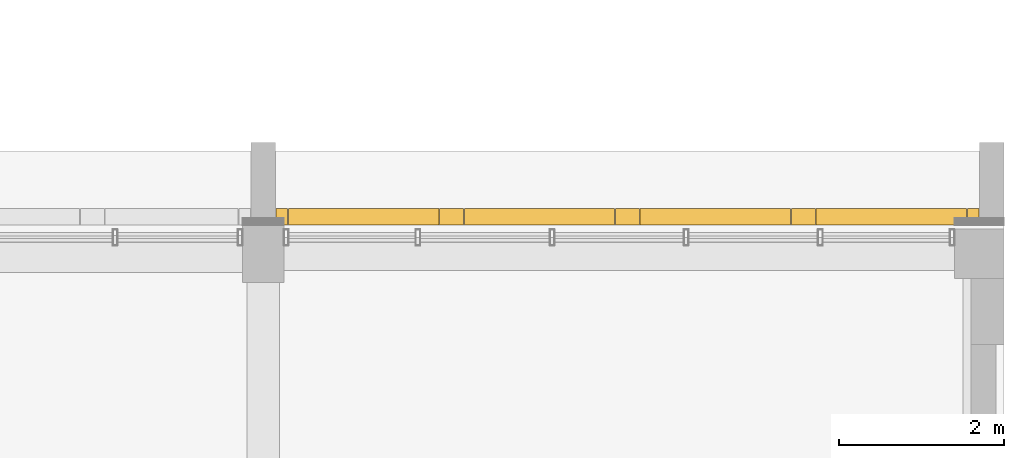
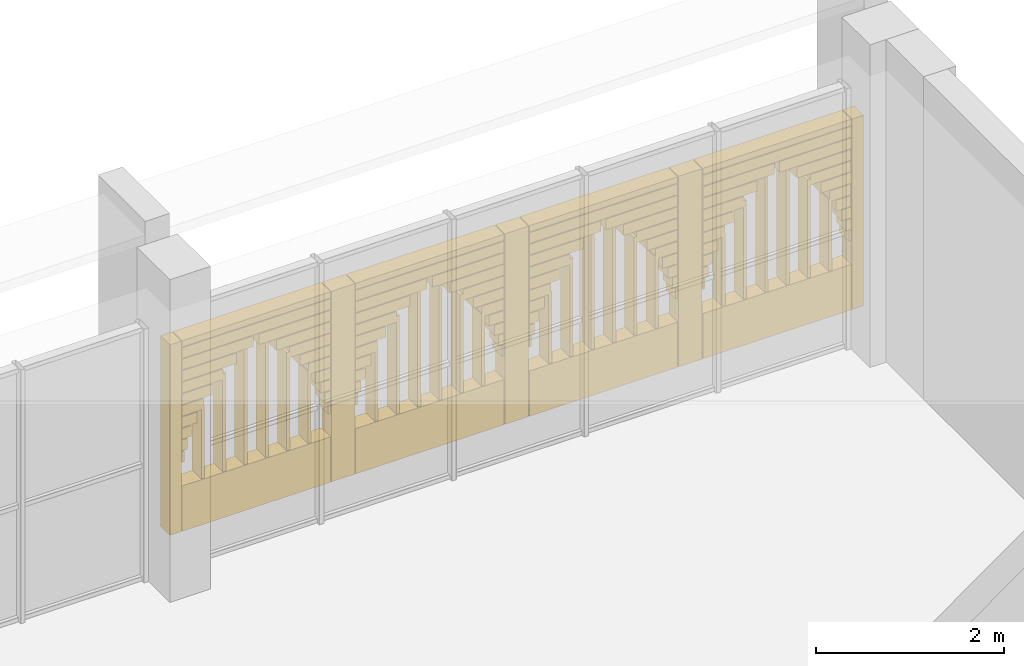
# One storey, part 92 of 92: 1 covering.
"""IFC4 building model written with IfcOpenShell, lengths in metres."""

from ifc_helpers import new_model, si_unit, direction, frame, origin, origin_2d, place, context, subcontext, project, spatial, rectangle, extrude, material, layer, layer_set, type_object, element, save


model = new_model("IFC4")

# Units and contexts
model_context = context("Model", 3, precision=1e-05, world=origin(), true_north=direction((0.0, 1.0)))
body_context = subcontext(model_context, "Body", "Model", "MODEL_VIEW")
ifc_project = project(units=[si_unit("LENGTHUNIT", "METRE"), si_unit("AREAUNIT", "SQUARE_METRE"), si_unit("VOLUMEUNIT", "CUBIC_METRE"), si_unit("PLANEANGLEUNIT", "RADIAN"), si_unit("MASSUNIT", "GRAM", prefix="KILO")], contexts=[model_context])

# Site, building, storey
site_placement = place(None, origin())
site = spatial("IfcSite", under=ifc_project, at=site_placement, CompositionType="ELEMENT")
building_placement = place(site_placement, origin())
building = spatial("IfcBuilding", under=site, at=building_placement, Name="Sun Court Science Centre", CompositionType="ELEMENT")
storey_placement = place(building_placement, frame((0.0, 0.0, 11.25)))
storey = spatial("IfcBuildingStorey", under=building, at=storey_placement, Name="L02", CompositionType="ELEMENT", Elevation=11.25)

# Covering
ifc_material = material(Name="Red sandstone", Category="masonry")
ifc_layer = layer(ifc_material, 0.199951171875)
ifc_layer_set = layer_set([ifc_layer], Name="Red sandstone")
covering_type = type_object("IfcCoveringType", Name="Arched jali screen 200", PredefinedType="CLADDING", material=ifc_layer_set)
covering_placement = place(storey_placement, frame((0.0, 0.0, -11.25)))
element("IfcCovering", 1, at=covering_placement, inside=storey, type_object=covering_type, Name="Arched jali screen north L02 04", PredefinedType="CLADDING", context=body_context, shape_type="SweptSolid", body=[
    extrude(rectangle(XDim=0.139892578125, YDim=0.199951171875, at=origin_2d()), frame((95.22509765625, 81.10009765625, 11.55517578125), z_axis=(0.0, 0.0, 1.0), x_axis=(1.0, 0.0, 0.0)), (0.0, 0.0, 1.0), 2.481201171875),
    extrude(rectangle(XDim=0.2900390625, YDim=0.199951171875, at=origin_2d()), frame((97.28759765625, 81.10009765625, 11.55517578125), z_axis=(0.0, 0.0, 1.0), x_axis=(1.0, 0.0, 0.0)), (0.0, 0.0, 1.0), 2.481201171875),
    extrude(rectangle(XDim=0.2900390625, YDim=0.199951171875, at=origin_2d()), frame((99.425048828125, 81.10009765625, 11.55517578125), z_axis=(0.0, 0.0, 1.0), x_axis=(1.0, 0.0, 0.0)), (0.0, 0.0, 1.0), 2.481201171875),
    extrude(rectangle(XDim=0.2900390625, YDim=0.199951171875, at=origin_2d()), frame((101.5625, 81.10009765625, 11.55517578125), z_axis=(0.0, 0.0, 1.0), x_axis=(1.0, 0.0, 0.0)), (0.0, 0.0, 1.0), 2.481201171875),
    extrude(rectangle(XDim=0.139892578125, YDim=0.199951171875, at=origin_2d()), frame((103.625, 81.10009765625, 11.55517578125), z_axis=(0.0, 0.0, 1.0), x_axis=(1.0, 0.0, 0.0)), (0.0, 0.0, 1.0), 2.481201171875),
    extrude(rectangle(XDim=1.827392578125, YDim=0.199951171875, at=origin_2d()), frame((96.21875, 81.10009765625, 11.55517578125), z_axis=(0.0, 0.0, 1.0), x_axis=(1.0, 0.0, 0.0)), (0.0, 0.0, 1.0), 0.590087890625),
    extrude(rectangle(XDim=0.028564453125, YDim=0.199951171875, at=origin_2d()), frame((95.3193359375, 81.10009765625, 12.455078125), z_axis=(0.0, 0.0, 1.0), x_axis=(1.0, 0.0, 0.0)), (0.0, 0.0, 1.0), 0.139892578125),
    extrude(rectangle(XDim=0.028564453125, YDim=0.199951171875, at=origin_2d()), frame((97.1181640625, 81.10009765625, 12.455078125), z_axis=(0.0, 0.0, 1.0), x_axis=(1.0, 0.0, 0.0)), (0.0, 0.0, 1.0), 0.139892578125),
    extrude(rectangle(XDim=0.066650390625, YDim=0.199951171875, at=origin_2d()), frame((95.33837890625, 81.10009765625, 12.60498046875), z_axis=(0.0, 0.0, 1.0), x_axis=(1.0, 0.0, 0.0)), (0.0, 0.0, 1.0), 0.139892578125),
    extrude(rectangle(XDim=0.066650390625, YDim=0.199951171875, at=origin_2d()), frame((97.09912109375, 81.10009765625, 12.60498046875), z_axis=(0.0, 0.0, 1.0), x_axis=(1.0, 0.0, 0.0)), (0.0, 0.0, 1.0), 0.139892578125),
    extrude(rectangle(XDim=0.118408203125, YDim=0.199951171875, at=origin_2d()), frame((95.3642578125, 81.10009765625, 12.7548828125), z_axis=(0.0, 0.0, 1.0), x_axis=(1.0, 0.0, 0.0)), (0.0, 0.0, 1.0), 0.139892578125),
    extrude(rectangle(XDim=0.118408203125, YDim=0.199951171875, at=origin_2d()), frame((97.0732421875, 81.10009765625, 12.7548828125), z_axis=(0.0, 0.0, 1.0), x_axis=(1.0, 0.0, 0.0)), (0.0, 0.0, 1.0), 0.139892578125),
    extrude(rectangle(XDim=0.185546875, YDim=0.199951171875, at=origin_2d()), frame((95.397705078125, 81.10009765625, 12.9052734375), z_axis=(0.0, 0.0, 1.0), x_axis=(1.0, 0.0, 0.0)), (0.0, 0.0, 1.0), 0.139892578125),
    extrude(rectangle(XDim=0.185546875, YDim=0.199951171875, at=origin_2d()), frame((97.039794921875, 81.10009765625, 12.9052734375), z_axis=(0.0, 0.0, 1.0), x_axis=(1.0, 0.0, 0.0)), (0.0, 0.0, 1.0), 0.139892578125),
    extrude(rectangle(XDim=0.27001953125, YDim=0.199951171875, at=origin_2d()), frame((95.43994140625, 81.10009765625, 13.05517578125), z_axis=(0.0, 0.0, 1.0), x_axis=(1.0, 0.0, 0.0)), (0.0, 0.0, 1.0), 0.139892578125),
    extrude(rectangle(XDim=0.27001953125, YDim=0.199951171875, at=origin_2d()), frame((96.99755859375, 81.10009765625, 13.05517578125), z_axis=(0.0, 0.0, 1.0), x_axis=(1.0, 0.0, 0.0)), (0.0, 0.0, 1.0), 0.139892578125),
    extrude(rectangle(XDim=0.374755859375, YDim=0.199951171875, at=origin_2d()), frame((95.492431640625, 81.10009765625, 13.205078125), z_axis=(0.0, 0.0, 1.0), x_axis=(1.0, 0.0, 0.0)), (0.0, 0.0, 1.0), 0.139892578125),
    extrude(rectangle(XDim=0.374755859375, YDim=0.199951171875, at=origin_2d()), frame((96.945068359375, 81.10009765625, 13.205078125), z_axis=(0.0, 0.0, 1.0), x_axis=(1.0, 0.0, 0.0)), (0.0, 0.0, 1.0), 0.139892578125),
    extrude(rectangle(XDim=0.50439453125, YDim=0.199951171875, at=origin_2d()), frame((95.55712890625, 81.10009765625, 13.35498046875), z_axis=(0.0, 0.0, 1.0), x_axis=(1.0, 0.0, 0.0)), (0.0, 0.0, 1.0), 0.139892578125),
    extrude(rectangle(XDim=0.50439453125, YDim=0.199951171875, at=origin_2d()), frame((96.88037109375, 81.10009765625, 13.35498046875), z_axis=(0.0, 0.0, 1.0), x_axis=(1.0, 0.0, 0.0)), (0.0, 0.0, 1.0), 0.139892578125),
    extrude(rectangle(XDim=0.66748046875, YDim=0.199951171875, at=origin_2d()), frame((95.638671875, 81.10009765625, 13.5048828125), z_axis=(0.0, 0.0, 1.0), x_axis=(1.0, 0.0, 0.0)), (0.0, 0.0, 1.0), 0.139892578125),
    extrude(rectangle(XDim=0.66748046875, YDim=0.199951171875, at=origin_2d()), frame((96.798828125, 81.10009765625, 13.5048828125), z_axis=(0.0, 0.0, 1.0), x_axis=(1.0, 0.0, 0.0)), (0.0, 0.0, 1.0), 0.139892578125),
    extrude(rectangle(XDim=0.881103515625, YDim=0.199951171875, at=origin_2d()), frame((95.74560546875, 81.10009765625, 13.6552734375), z_axis=(0.0, 0.0, 1.0), x_axis=(1.0, 0.0, 0.0)), (0.0, 0.0, 1.0), 0.139892578125),
    extrude(rectangle(XDim=0.881103515625, YDim=0.199951171875, at=origin_2d()), frame((96.69189453125, 81.10009765625, 13.6552734375), z_axis=(0.0, 0.0, 1.0), x_axis=(1.0, 0.0, 0.0)), (0.0, 0.0, 1.0), 0.139892578125),
    extrude(rectangle(XDim=1.827392578125, YDim=0.199951171875, at=origin_2d()), frame((96.21875, 81.10009765625, 13.80517578125), z_axis=(0.0, 0.0, 1.0), x_axis=(1.0, 0.0, 0.0)), (0.0, 0.0, 1.0), 0.139892578125),
    extrude(rectangle(XDim=1.827392578125, YDim=0.199951171875, at=origin_2d()), frame((96.21875, 81.10009765625, 13.955078125), z_axis=(0.0, 0.0, 1.0), x_axis=(1.0, 0.0, 0.0)), (0.0, 0.0, 1.0), 0.081298828125),
    extrude(rectangle(XDim=0.0400390625, YDim=0.199951171875, at=origin_2d()), frame((95.5625, 81.10009765625, 12.155029296875), z_axis=(0.0, 0.0, 1.0), x_axis=(1.0, 0.0, 0.0)), (0.0, 0.0, 1.0), 0.9365234375),
    extrude(rectangle(XDim=0.0400390625, YDim=0.199951171875, at=origin_2d()), frame((95.824951171875, 81.10009765625, 12.155029296875), z_axis=(0.0, 0.0, 1.0), x_axis=(1.0, 0.0, 0.0)), (0.0, 0.0, 1.0), 1.27587890625),
    extrude(rectangle(XDim=0.0400390625, YDim=0.199951171875, at=origin_2d()), frame((96.08740234375, 81.10009765625, 12.155029296875), z_axis=(0.0, 0.0, 1.0), x_axis=(1.0, 0.0, 0.0)), (0.0, 0.0, 1.0), 1.498046875),
    extrude(rectangle(XDim=0.0400390625, YDim=0.199951171875, at=origin_2d()), frame((96.35009765625, 81.10009765625, 12.155029296875), z_axis=(0.0, 0.0, 1.0), x_axis=(1.0, 0.0, 0.0)), (0.0, 0.0, 1.0), 1.498046875),
    extrude(rectangle(XDim=0.0400390625, YDim=0.199951171875, at=origin_2d()), frame((96.612548828125, 81.10009765625, 12.155029296875), z_axis=(0.0, 0.0, 1.0), x_axis=(1.0, 0.0, 0.0)), (0.0, 0.0, 1.0), 1.27587890625),
    extrude(rectangle(XDim=0.0400390625, YDim=0.199951171875, at=origin_2d()), frame((96.875, 81.10009765625, 12.155029296875), z_axis=(0.0, 0.0, 1.0), x_axis=(1.0, 0.0, 0.0)), (0.0, 0.0, 1.0), 0.9365234375),
    extrude(rectangle(XDim=1.827392578125, YDim=0.199951171875, at=origin_2d()), frame((98.356201171875, 81.10009765625, 11.55517578125), z_axis=(0.0, 0.0, 1.0), x_axis=(1.0, 0.0, 0.0)), (0.0, 0.0, 1.0), 0.590087890625),
    extrude(rectangle(XDim=0.028564453125, YDim=0.199951171875, at=origin_2d()), frame((97.456787109375, 81.10009765625, 12.455078125), z_axis=(0.0, 0.0, 1.0), x_axis=(1.0, 0.0, 0.0)), (0.0, 0.0, 1.0), 0.139892578125),
    extrude(rectangle(XDim=0.028564453125, YDim=0.199951171875, at=origin_2d()), frame((99.255615234375, 81.10009765625, 12.455078125), z_axis=(0.0, 0.0, 1.0), x_axis=(1.0, 0.0, 0.0)), (0.0, 0.0, 1.0), 0.139892578125),
    extrude(rectangle(XDim=0.066650390625, YDim=0.199951171875, at=origin_2d()), frame((97.475830078125, 81.10009765625, 12.60498046875), z_axis=(0.0, 0.0, 1.0), x_axis=(1.0, 0.0, 0.0)), (0.0, 0.0, 1.0), 0.139892578125),
    extrude(rectangle(XDim=0.066650390625, YDim=0.199951171875, at=origin_2d()), frame((99.23681640625, 81.10009765625, 12.60498046875), z_axis=(0.0, 0.0, 1.0), x_axis=(1.0, 0.0, 0.0)), (0.0, 0.0, 1.0), 0.139892578125),
    extrude(rectangle(XDim=0.118408203125, YDim=0.199951171875, at=origin_2d()), frame((97.501708984375, 81.10009765625, 12.7548828125), z_axis=(0.0, 0.0, 1.0), x_axis=(1.0, 0.0, 0.0)), (0.0, 0.0, 1.0), 0.139892578125),
    extrude(rectangle(XDim=0.118408203125, YDim=0.199951171875, at=origin_2d()), frame((99.210693359375, 81.10009765625, 12.7548828125), z_axis=(0.0, 0.0, 1.0), x_axis=(1.0, 0.0, 0.0)), (0.0, 0.0, 1.0), 0.139892578125),
    extrude(rectangle(XDim=0.185546875, YDim=0.199951171875, at=origin_2d()), frame((97.535400390625, 81.10009765625, 12.9052734375), z_axis=(0.0, 0.0, 1.0), x_axis=(1.0, 0.0, 0.0)), (0.0, 0.0, 1.0), 0.139892578125),
    extrude(rectangle(XDim=0.185546875, YDim=0.199951171875, at=origin_2d()), frame((99.17724609375, 81.10009765625, 12.9052734375), z_axis=(0.0, 0.0, 1.0), x_axis=(1.0, 0.0, 0.0)), (0.0, 0.0, 1.0), 0.139892578125),
    extrude(rectangle(XDim=0.27001953125, YDim=0.199951171875, at=origin_2d()), frame((97.577392578125, 81.10009765625, 13.05517578125), z_axis=(0.0, 0.0, 1.0), x_axis=(1.0, 0.0, 0.0)), (0.0, 0.0, 1.0), 0.139892578125),
    extrude(rectangle(XDim=0.27001953125, YDim=0.199951171875, at=origin_2d()), frame((99.135009765625, 81.10009765625, 13.05517578125), z_axis=(0.0, 0.0, 1.0), x_axis=(1.0, 0.0, 0.0)), (0.0, 0.0, 1.0), 0.139892578125),
    extrude(rectangle(XDim=0.374755859375, YDim=0.199951171875, at=origin_2d()), frame((97.6298828125, 81.10009765625, 13.205078125), z_axis=(0.0, 0.0, 1.0), x_axis=(1.0, 0.0, 0.0)), (0.0, 0.0, 1.0), 0.139892578125),
    extrude(rectangle(XDim=0.374755859375, YDim=0.199951171875, at=origin_2d()), frame((99.082763671875, 81.10009765625, 13.205078125), z_axis=(0.0, 0.0, 1.0), x_axis=(1.0, 0.0, 0.0)), (0.0, 0.0, 1.0), 0.139892578125),
    extrude(rectangle(XDim=0.50439453125, YDim=0.199951171875, at=origin_2d()), frame((97.694580078125, 81.10009765625, 13.35498046875), z_axis=(0.0, 0.0, 1.0), x_axis=(1.0, 0.0, 0.0)), (0.0, 0.0, 1.0), 0.139892578125),
    extrude(rectangle(XDim=0.50439453125, YDim=0.199951171875, at=origin_2d()), frame((99.017822265625, 81.10009765625, 13.35498046875), z_axis=(0.0, 0.0, 1.0), x_axis=(1.0, 0.0, 0.0)), (0.0, 0.0, 1.0), 0.139892578125),
    extrude(rectangle(XDim=0.66748046875, YDim=0.199951171875, at=origin_2d()), frame((97.776123046875, 81.10009765625, 13.5048828125), z_axis=(0.0, 0.0, 1.0), x_axis=(1.0, 0.0, 0.0)), (0.0, 0.0, 1.0), 0.139892578125),
    extrude(rectangle(XDim=0.66748046875, YDim=0.199951171875, at=origin_2d()), frame((98.936279296875, 81.10009765625, 13.5048828125), z_axis=(0.0, 0.0, 1.0), x_axis=(1.0, 0.0, 0.0)), (0.0, 0.0, 1.0), 0.139892578125),
    extrude(rectangle(XDim=0.881103515625, YDim=0.199951171875, at=origin_2d()), frame((97.883056640625, 81.10009765625, 13.6552734375), z_axis=(0.0, 0.0, 1.0), x_axis=(1.0, 0.0, 0.0)), (0.0, 0.0, 1.0), 0.139892578125),
    extrude(rectangle(XDim=0.881103515625, YDim=0.199951171875, at=origin_2d()), frame((98.82958984375, 81.10009765625, 13.6552734375), z_axis=(0.0, 0.0, 1.0), x_axis=(1.0, 0.0, 0.0)), (0.0, 0.0, 1.0), 0.139892578125),
    extrude(rectangle(XDim=1.827392578125, YDim=0.199951171875, at=origin_2d()), frame((98.356201171875, 81.10009765625, 13.80517578125), z_axis=(0.0, 0.0, 1.0), x_axis=(1.0, 0.0, 0.0)), (0.0, 0.0, 1.0), 0.139892578125),
    extrude(rectangle(XDim=1.827392578125, YDim=0.199951171875, at=origin_2d()), frame((98.356201171875, 81.10009765625, 13.955078125), z_axis=(0.0, 0.0, 1.0), x_axis=(1.0, 0.0, 0.0)), (0.0, 0.0, 1.0), 0.081298828125),
    extrude(rectangle(XDim=0.0400390625, YDim=0.199951171875, at=origin_2d()), frame((97.699951171875, 81.10009765625, 12.155029296875), z_axis=(0.0, 0.0, 1.0), x_axis=(1.0, 0.0, 0.0)), (0.0, 0.0, 1.0), 0.9365234375),
    extrude(rectangle(XDim=0.0400390625, YDim=0.199951171875, at=origin_2d()), frame((97.96240234375, 81.10009765625, 12.155029296875), z_axis=(0.0, 0.0, 1.0), x_axis=(1.0, 0.0, 0.0)), (0.0, 0.0, 1.0), 1.27587890625),
    extrude(rectangle(XDim=0.0400390625, YDim=0.199951171875, at=origin_2d()), frame((98.22509765625, 81.10009765625, 12.155029296875), z_axis=(0.0, 0.0, 1.0), x_axis=(1.0, 0.0, 0.0)), (0.0, 0.0, 1.0), 1.498046875),
    extrude(rectangle(XDim=0.0400390625, YDim=0.199951171875, at=origin_2d()), frame((98.487548828125, 81.10009765625, 12.155029296875), z_axis=(0.0, 0.0, 1.0), x_axis=(1.0, 0.0, 0.0)), (0.0, 0.0, 1.0), 1.498046875),
    extrude(rectangle(XDim=0.0400390625, YDim=0.199951171875, at=origin_2d()), frame((98.75, 81.10009765625, 12.155029296875), z_axis=(0.0, 0.0, 1.0), x_axis=(1.0, 0.0, 0.0)), (0.0, 0.0, 1.0), 1.27587890625),
    extrude(rectangle(XDim=0.0400390625, YDim=0.199951171875, at=origin_2d()), frame((99.012451171875, 81.10009765625, 12.155029296875), z_axis=(0.0, 0.0, 1.0), x_axis=(1.0, 0.0, 0.0)), (0.0, 0.0, 1.0), 0.9365234375),
    extrude(rectangle(XDim=1.827392578125, YDim=0.199951171875, at=origin_2d()), frame((100.49365234375, 81.10009765625, 11.55517578125), z_axis=(0.0, 0.0, 1.0), x_axis=(1.0, 0.0, 0.0)), (0.0, 0.0, 1.0), 0.590087890625),
    extrude(rectangle(XDim=0.028564453125, YDim=0.199951171875, at=origin_2d()), frame((99.59423828125, 81.10009765625, 12.455078125), z_axis=(0.0, 0.0, 1.0), x_axis=(1.0, 0.0, 0.0)), (0.0, 0.0, 1.0), 0.139892578125),
    extrude(rectangle(XDim=0.028564453125, YDim=0.199951171875, at=origin_2d()), frame((101.39306640625, 81.10009765625, 12.455078125), z_axis=(0.0, 0.0, 1.0), x_axis=(1.0, 0.0, 0.0)), (0.0, 0.0, 1.0), 0.139892578125),
    extrude(rectangle(XDim=0.066650390625, YDim=0.199951171875, at=origin_2d()), frame((99.61328125, 81.10009765625, 12.60498046875), z_axis=(0.0, 0.0, 1.0), x_axis=(1.0, 0.0, 0.0)), (0.0, 0.0, 1.0), 0.139892578125),
    extrude(rectangle(XDim=0.066650390625, YDim=0.199951171875, at=origin_2d()), frame((101.374267578125, 81.10009765625, 12.60498046875), z_axis=(0.0, 0.0, 1.0), x_axis=(1.0, 0.0, 0.0)), (0.0, 0.0, 1.0), 0.139892578125),
    extrude(rectangle(XDim=0.118408203125, YDim=0.199951171875, at=origin_2d()), frame((99.63916015625, 81.10009765625, 12.7548828125), z_axis=(0.0, 0.0, 1.0), x_axis=(1.0, 0.0, 0.0)), (0.0, 0.0, 1.0), 0.139892578125),
    extrude(rectangle(XDim=0.118408203125, YDim=0.199951171875, at=origin_2d()), frame((101.34814453125, 81.10009765625, 12.7548828125), z_axis=(0.0, 0.0, 1.0), x_axis=(1.0, 0.0, 0.0)), (0.0, 0.0, 1.0), 0.139892578125),
    extrude(rectangle(XDim=0.185546875, YDim=0.199951171875, at=origin_2d()), frame((99.6728515625, 81.10009765625, 12.9052734375), z_axis=(0.0, 0.0, 1.0), x_axis=(1.0, 0.0, 0.0)), (0.0, 0.0, 1.0), 0.139892578125),
    extrude(rectangle(XDim=0.185546875, YDim=0.199951171875, at=origin_2d()), frame((101.314697265625, 81.10009765625, 12.9052734375), z_axis=(0.0, 0.0, 1.0), x_axis=(1.0, 0.0, 0.0)), (0.0, 0.0, 1.0), 0.139892578125),
    extrude(rectangle(XDim=0.27001953125, YDim=0.199951171875, at=origin_2d()), frame((99.715087890625, 81.10009765625, 13.05517578125), z_axis=(0.0, 0.0, 1.0), x_axis=(1.0, 0.0, 0.0)), (0.0, 0.0, 1.0), 0.139892578125),
    extrude(rectangle(XDim=0.27001953125, YDim=0.199951171875, at=origin_2d()), frame((101.2724609375, 81.10009765625, 13.05517578125), z_axis=(0.0, 0.0, 1.0), x_axis=(1.0, 0.0, 0.0)), (0.0, 0.0, 1.0), 0.139892578125),
    extrude(rectangle(XDim=0.374755859375, YDim=0.199951171875, at=origin_2d()), frame((99.767333984375, 81.10009765625, 13.205078125), z_axis=(0.0, 0.0, 1.0), x_axis=(1.0, 0.0, 0.0)), (0.0, 0.0, 1.0), 0.139892578125),
    extrude(rectangle(XDim=0.374755859375, YDim=0.199951171875, at=origin_2d()), frame((101.22021484375, 81.10009765625, 13.205078125), z_axis=(0.0, 0.0, 1.0), x_axis=(1.0, 0.0, 0.0)), (0.0, 0.0, 1.0), 0.139892578125),
    extrude(rectangle(XDim=0.50439453125, YDim=0.199951171875, at=origin_2d()), frame((99.832275390625, 81.10009765625, 13.35498046875), z_axis=(0.0, 0.0, 1.0), x_axis=(1.0, 0.0, 0.0)), (0.0, 0.0, 1.0), 0.139892578125),
    extrude(rectangle(XDim=0.50439453125, YDim=0.199951171875, at=origin_2d()), frame((101.1552734375, 81.10009765625, 13.35498046875), z_axis=(0.0, 0.0, 1.0), x_axis=(1.0, 0.0, 0.0)), (0.0, 0.0, 1.0), 0.139892578125),
    extrude(rectangle(XDim=0.66748046875, YDim=0.199951171875, at=origin_2d()), frame((99.913818359375, 81.10009765625, 13.5048828125), z_axis=(0.0, 0.0, 1.0), x_axis=(1.0, 0.0, 0.0)), (0.0, 0.0, 1.0), 0.139892578125),
    extrude(rectangle(XDim=0.66748046875, YDim=0.199951171875, at=origin_2d()), frame((101.07373046875, 81.10009765625, 13.5048828125), z_axis=(0.0, 0.0, 1.0), x_axis=(1.0, 0.0, 0.0)), (0.0, 0.0, 1.0), 0.139892578125),
    extrude(rectangle(XDim=0.881103515625, YDim=0.199951171875, at=origin_2d()), frame((100.0205078125, 81.10009765625, 13.6552734375), z_axis=(0.0, 0.0, 1.0), x_axis=(1.0, 0.0, 0.0)), (0.0, 0.0, 1.0), 0.139892578125),
    extrude(rectangle(XDim=0.881103515625, YDim=0.199951171875, at=origin_2d()), frame((100.967041015625, 81.10009765625, 13.6552734375), z_axis=(0.0, 0.0, 1.0), x_axis=(1.0, 0.0, 0.0)), (0.0, 0.0, 1.0), 0.139892578125),
    extrude(rectangle(XDim=1.827392578125, YDim=0.199951171875, at=origin_2d()), frame((100.49365234375, 81.10009765625, 13.80517578125), z_axis=(0.0, 0.0, 1.0), x_axis=(1.0, 0.0, 0.0)), (0.0, 0.0, 1.0), 0.139892578125),
    extrude(rectangle(XDim=1.827392578125, YDim=0.199951171875, at=origin_2d()), frame((100.49365234375, 81.10009765625, 13.955078125), z_axis=(0.0, 0.0, 1.0), x_axis=(1.0, 0.0, 0.0)), (0.0, 0.0, 1.0), 0.081298828125),
    extrude(rectangle(XDim=0.0400390625, YDim=0.199951171875, at=origin_2d()), frame((99.83740234375, 81.10009765625, 12.155029296875), z_axis=(0.0, 0.0, 1.0), x_axis=(1.0, 0.0, 0.0)), (0.0, 0.0, 1.0), 0.9365234375),
    extrude(rectangle(XDim=0.0400390625, YDim=0.199951171875, at=origin_2d()), frame((100.10009765625, 81.10009765625, 12.155029296875), z_axis=(0.0, 0.0, 1.0), x_axis=(1.0, 0.0, 0.0)), (0.0, 0.0, 1.0), 1.27587890625),
    extrude(rectangle(XDim=0.0400390625, YDim=0.199951171875, at=origin_2d()), frame((100.362548828125, 81.10009765625, 12.155029296875), z_axis=(0.0, 0.0, 1.0), x_axis=(1.0, 0.0, 0.0)), (0.0, 0.0, 1.0), 1.498046875),
    extrude(rectangle(XDim=0.0400390625, YDim=0.199951171875, at=origin_2d()), frame((100.625, 81.10009765625, 12.155029296875), z_axis=(0.0, 0.0, 1.0), x_axis=(1.0, 0.0, 0.0)), (0.0, 0.0, 1.0), 1.498046875),
    extrude(rectangle(XDim=0.0400390625, YDim=0.199951171875, at=origin_2d()), frame((100.887451171875, 81.10009765625, 12.155029296875), z_axis=(0.0, 0.0, 1.0), x_axis=(1.0, 0.0, 0.0)), (0.0, 0.0, 1.0), 1.27587890625),
    extrude(rectangle(XDim=0.0400390625, YDim=0.199951171875, at=origin_2d()), frame((101.14990234375, 81.10009765625, 12.155029296875), z_axis=(0.0, 0.0, 1.0), x_axis=(1.0, 0.0, 0.0)), (0.0, 0.0, 1.0), 0.9365234375),
    extrude(rectangle(XDim=1.827392578125, YDim=0.199951171875, at=origin_2d()), frame((102.63134765625, 81.10009765625, 11.55517578125), z_axis=(0.0, 0.0, 1.0), x_axis=(1.0, 0.0, 0.0)), (0.0, 0.0, 1.0), 0.590087890625),
    extrude(rectangle(XDim=0.028564453125, YDim=0.199951171875, at=origin_2d()), frame((101.73193359375, 81.10009765625, 12.455078125), z_axis=(0.0, 0.0, 1.0), x_axis=(1.0, 0.0, 0.0)), (0.0, 0.0, 1.0), 0.139892578125),
    extrude(rectangle(XDim=0.028564453125, YDim=0.199951171875, at=origin_2d()), frame((103.53076171875, 81.10009765625, 12.455078125), z_axis=(0.0, 0.0, 1.0), x_axis=(1.0, 0.0, 0.0)), (0.0, 0.0, 1.0), 0.139892578125),
    extrude(rectangle(XDim=0.066650390625, YDim=0.199951171875, at=origin_2d()), frame((101.750732421875, 81.10009765625, 12.60498046875), z_axis=(0.0, 0.0, 1.0), x_axis=(1.0, 0.0, 0.0)), (0.0, 0.0, 1.0), 0.139892578125),
    extrude(rectangle(XDim=0.066650390625, YDim=0.199951171875, at=origin_2d()), frame((103.51171875, 81.10009765625, 12.60498046875), z_axis=(0.0, 0.0, 1.0), x_axis=(1.0, 0.0, 0.0)), (0.0, 0.0, 1.0), 0.139892578125),
    extrude(rectangle(XDim=0.118408203125, YDim=0.199951171875, at=origin_2d()), frame((101.77685546875, 81.10009765625, 12.7548828125), z_axis=(0.0, 0.0, 1.0), x_axis=(1.0, 0.0, 0.0)), (0.0, 0.0, 1.0), 0.139892578125),
    extrude(rectangle(XDim=0.118408203125, YDim=0.199951171875, at=origin_2d()), frame((103.48583984375, 81.10009765625, 12.7548828125), z_axis=(0.0, 0.0, 1.0), x_axis=(1.0, 0.0, 0.0)), (0.0, 0.0, 1.0), 0.139892578125),
    extrude(rectangle(XDim=0.185546875, YDim=0.199951171875, at=origin_2d()), frame((101.810302734375, 81.10009765625, 12.9052734375), z_axis=(0.0, 0.0, 1.0), x_axis=(1.0, 0.0, 0.0)), (0.0, 0.0, 1.0), 0.139892578125),
    extrude(rectangle(XDim=0.185546875, YDim=0.199951171875, at=origin_2d()), frame((103.4521484375, 81.10009765625, 12.9052734375), z_axis=(0.0, 0.0, 1.0), x_axis=(1.0, 0.0, 0.0)), (0.0, 0.0, 1.0), 0.139892578125),
    extrude(rectangle(XDim=0.27001953125, YDim=0.199951171875, at=origin_2d()), frame((101.8525390625, 81.10009765625, 13.05517578125), z_axis=(0.0, 0.0, 1.0), x_axis=(1.0, 0.0, 0.0)), (0.0, 0.0, 1.0), 0.139892578125),
    extrude(rectangle(XDim=0.27001953125, YDim=0.199951171875, at=origin_2d()), frame((103.409912109375, 81.10009765625, 13.05517578125), z_axis=(0.0, 0.0, 1.0), x_axis=(1.0, 0.0, 0.0)), (0.0, 0.0, 1.0), 0.139892578125),
    extrude(rectangle(XDim=0.374755859375, YDim=0.199951171875, at=origin_2d()), frame((101.90478515625, 81.10009765625, 13.205078125), z_axis=(0.0, 0.0, 1.0), x_axis=(1.0, 0.0, 0.0)), (0.0, 0.0, 1.0), 0.139892578125),
    extrude(rectangle(XDim=0.374755859375, YDim=0.199951171875, at=origin_2d()), frame((103.357666015625, 81.10009765625, 13.205078125), z_axis=(0.0, 0.0, 1.0), x_axis=(1.0, 0.0, 0.0)), (0.0, 0.0, 1.0), 0.139892578125),
    extrude(rectangle(XDim=0.50439453125, YDim=0.199951171875, at=origin_2d()), frame((101.9697265625, 81.10009765625, 13.35498046875), z_axis=(0.0, 0.0, 1.0), x_axis=(1.0, 0.0, 0.0)), (0.0, 0.0, 1.0), 0.139892578125),
    extrude(rectangle(XDim=0.50439453125, YDim=0.199951171875, at=origin_2d()), frame((103.292724609375, 81.10009765625, 13.35498046875), z_axis=(0.0, 0.0, 1.0), x_axis=(1.0, 0.0, 0.0)), (0.0, 0.0, 1.0), 0.139892578125),
    extrude(rectangle(XDim=0.66748046875, YDim=0.199951171875, at=origin_2d()), frame((102.05126953125, 81.10009765625, 13.5048828125), z_axis=(0.0, 0.0, 1.0), x_axis=(1.0, 0.0, 0.0)), (0.0, 0.0, 1.0), 0.139892578125),
    extrude(rectangle(XDim=0.66748046875, YDim=0.199951171875, at=origin_2d()), frame((103.211181640625, 81.10009765625, 13.5048828125), z_axis=(0.0, 0.0, 1.0), x_axis=(1.0, 0.0, 0.0)), (0.0, 0.0, 1.0), 0.139892578125),
    extrude(rectangle(XDim=0.881103515625, YDim=0.199951171875, at=origin_2d()), frame((102.157958984375, 81.10009765625, 13.6552734375), z_axis=(0.0, 0.0, 1.0), x_axis=(1.0, 0.0, 0.0)), (0.0, 0.0, 1.0), 0.139892578125),
    extrude(rectangle(XDim=0.881103515625, YDim=0.199951171875, at=origin_2d()), frame((103.1044921875, 81.10009765625, 13.6552734375), z_axis=(0.0, 0.0, 1.0), x_axis=(1.0, 0.0, 0.0)), (0.0, 0.0, 1.0), 0.139892578125),
    extrude(rectangle(XDim=1.827392578125, YDim=0.199951171875, at=origin_2d()), frame((102.63134765625, 81.10009765625, 13.80517578125), z_axis=(0.0, 0.0, 1.0), x_axis=(1.0, 0.0, 0.0)), (0.0, 0.0, 1.0), 0.139892578125),
    extrude(rectangle(XDim=1.827392578125, YDim=0.199951171875, at=origin_2d()), frame((102.63134765625, 81.10009765625, 13.955078125), z_axis=(0.0, 0.0, 1.0), x_axis=(1.0, 0.0, 0.0)), (0.0, 0.0, 1.0), 0.081298828125),
    extrude(rectangle(XDim=0.0400390625, YDim=0.199951171875, at=origin_2d()), frame((101.97509765625, 81.10009765625, 12.155029296875), z_axis=(0.0, 0.0, 1.0), x_axis=(1.0, 0.0, 0.0)), (0.0, 0.0, 1.0), 0.9365234375),
    extrude(rectangle(XDim=0.0400390625, YDim=0.199951171875, at=origin_2d()), frame((102.237548828125, 81.10009765625, 12.155029296875), z_axis=(0.0, 0.0, 1.0), x_axis=(1.0, 0.0, 0.0)), (0.0, 0.0, 1.0), 1.27587890625),
    extrude(rectangle(XDim=0.0400390625, YDim=0.199951171875, at=origin_2d()), frame((102.5, 81.10009765625, 12.155029296875), z_axis=(0.0, 0.0, 1.0), x_axis=(1.0, 0.0, 0.0)), (0.0, 0.0, 1.0), 1.498046875),
    extrude(rectangle(XDim=0.0400390625, YDim=0.199951171875, at=origin_2d()), frame((102.762451171875, 81.10009765625, 12.155029296875), z_axis=(0.0, 0.0, 1.0), x_axis=(1.0, 0.0, 0.0)), (0.0, 0.0, 1.0), 1.498046875),
    extrude(rectangle(XDim=0.0400390625, YDim=0.199951171875, at=origin_2d()), frame((103.02490234375, 81.10009765625, 12.155029296875), z_axis=(0.0, 0.0, 1.0), x_axis=(1.0, 0.0, 0.0)), (0.0, 0.0, 1.0), 1.27587890625),
    extrude(rectangle(XDim=0.0400390625, YDim=0.199951171875, at=origin_2d()), frame((103.28759765625, 81.10009765625, 12.155029296875), z_axis=(0.0, 0.0, 1.0), x_axis=(1.0, 0.0, 0.0)), (0.0, 0.0, 1.0), 0.9365234375),
])

save(model, "model.ifc")
